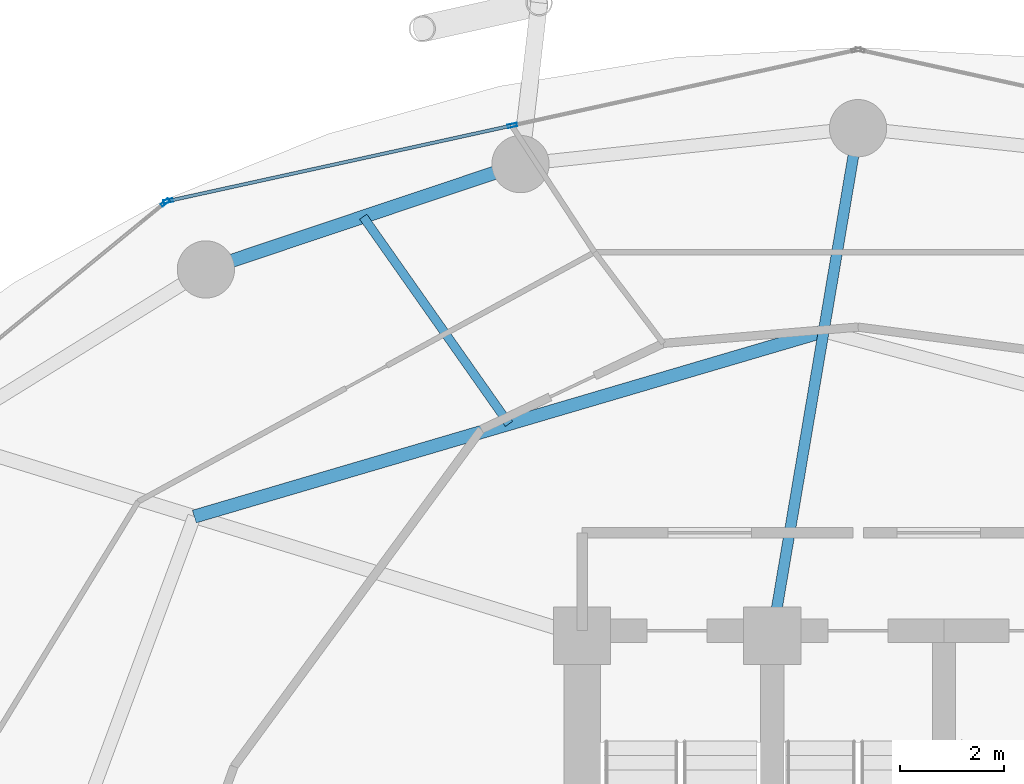
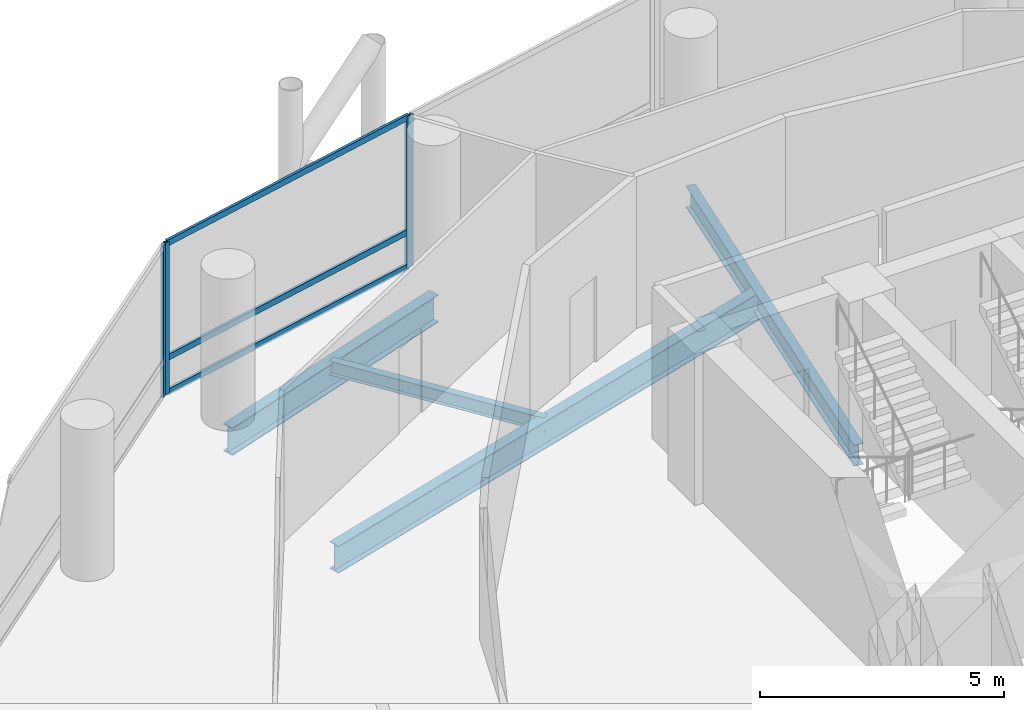
# One storey, part 15 of 25: 6 members, 4 beams, 2 elements without a shape of their own.
"""IFC4 building model written with IfcOpenShell, lengths in metres."""

from ifc_helpers import new_model, si_unit, direction, frame, origin, origin_2d, place, context, subcontext, project, spatial, hollow_rectangle, i_section, extrude, material, layer, layer_set, material_profile, profile_set, type_object, element, aggregate, save


model = new_model("IFC4")

# Units and contexts
model_context = context("Model", 3, precision=1e-05, world=origin(), true_north=direction((0.0, 1.0)))
body_context = subcontext(model_context, "Body", "Model", "MODEL_VIEW")
ifc_project = project(units=[si_unit("LENGTHUNIT", "METRE"), si_unit("AREAUNIT", "SQUARE_METRE"), si_unit("VOLUMEUNIT", "CUBIC_METRE"), si_unit("PLANEANGLEUNIT", "RADIAN"), si_unit("MASSUNIT", "GRAM", prefix="KILO")], contexts=[model_context])

# Site, building, storey
site_placement = place(None, origin())
site = spatial("IfcSite", under=ifc_project, at=site_placement, CompositionType="ELEMENT")
building_placement = place(site_placement, origin())
building = spatial("IfcBuilding", under=site, at=building_placement, Name="Nuhasar Tower", CompositionType="ELEMENT")
storey_placement = place(building_placement, frame((0.0, 0.0, 65.550048828125)))
storey = spatial("IfcBuildingStorey", under=building, at=storey_placement, Name="L15", CompositionType="ELEMENT", Elevation=65.550048828125)

# Beams
ifc_material_1 = material(Name="Steel S355", Category="steel")
ifc_material_profile_1 = material_profile(ifc_material_1, i_section(OverallWidth=0.25390625, OverallDepth=0.68408203125, WebThickness=0.012451171875, FlangeThickness=0.018798828125, at=origin_2d()), Name="W27X94")
ifc_profile_set_1 = profile_set([ifc_material_profile_1], Name="Steel S355")
beam_type_1 = type_object("IfcBeamType", Name="BM-INRING-W27X94", PredefinedType="BEAM", material=ifc_profile_set_1)
beam_1_placement = place(storey_placement, frame((38.340087890625, 43.14990234375, -0.592041015625), z_axis=(-0.959290190666, -0.28242225495, 0.0), x_axis=(0.28242225495, -0.959290190666, 0.0)))
element("IfcBeam", 1, at=beam_1_placement, inside=storey, type_object=beam_type_1, Name="L15 Inner Header Beam 06", PredefinedType="BEAM", context=body_context, shape_type="SweptSolid", body=[
    extrude(i_section(OverallWidth=0.25390625, OverallDepth=0.68408203125, WebThickness=0.012451171875, FlangeThickness=0.018798828125, at=origin_2d()), origin(), (0.0, 0.0, 1.0), 12.60107421875),
])
ifc_material_profile_2 = material_profile(ifc_material_1, i_section(OverallWidth=0.1708984375, OverallDepth=0.35205078125, WebThickness=0.0068359375, FlangeThickness=0.009765625, at=origin_2d()), Name="W14X30")
ifc_profile_set_2 = profile_set([ifc_material_profile_2], Name="Steel S355")
beam_type_2 = type_object("IfcBeamType", Name="BM-JST-W14X30", PredefinedType="JOIST", material=ifc_profile_set_2)
beam_2_placement = place(storey_placement, frame((32.2958984375, 41.3701171875, -0.426025390625), z_axis=(-0.575461088141, 0.817829160666, 0.0), x_axis=(-0.817829160666, -0.575461088141, 0.0)))
element("IfcBeam", 2, at=beam_2_placement, inside=storey, type_object=beam_type_2, Name="L15 Secondary Floor Joist 06", PredefinedType="JOIST", context=body_context, shape_type="SweptSolid", body=[
    extrude(i_section(OverallWidth=0.1708984375, OverallDepth=0.35205078125, WebThickness=0.0068359375, FlangeThickness=0.009765625, at=origin_2d()), origin(), (0.0, 0.0, 1.0), 4.865234375),
])
ifc_material_profile_3 = material_profile(ifc_material_1, i_section(OverallWidth=0.208984375, OverallDepth=0.532958984375, WebThickness=0.01025390625, FlangeThickness=0.015625, at=origin_2d()), Name="W21X62")
ifc_profile_set_3 = profile_set([ifc_material_profile_3], Name="Steel S355")
beam_type_3 = type_object("IfcBeamType", Name="BM-RAD-W21X62", PredefinedType="BEAM", material=ifc_profile_set_3)
beam_3_placement = place(storey_placement, frame((37.35009765625, 37.300048828125, -0.51611328125), z_axis=(0.166848703013, 0.98598251014, 0.0), x_axis=(-0.98598251014, 0.166848703013, 0.0)))
element("IfcBeam", 3, at=beam_3_placement, inside=storey, type_object=beam_type_3, Name="L15 Radial Floor Girder 06", PredefinedType="BEAM", context=body_context, shape_type="SweptSolid", body=[
    extrude(i_section(OverallWidth=0.208984375, OverallDepth=0.532958984375, WebThickness=0.01025390625, FlangeThickness=0.015625, at=origin_2d()), origin(), (0.0, 0.0, 1.0), 9.888671875),
])
ifc_material_profile_4 = material_profile(ifc_material_1, i_section(OverallWidth=0.256103515625, OverallDepth=0.693115234375, WebThickness=0.014404296875, FlangeThickness=0.023681640625, at=origin_2d()), Name="W27X114")
ifc_profile_set_4 = profile_set([ifc_material_profile_4], Name="Steel S355")
beam_type_4 = type_object("IfcBeamType", Name="BM-RING-W27X114", PredefinedType="SPANDREL", material=ifc_profile_set_4)
beam_4_placement = place(storey_placement, frame((32.51708984375, 46.360107421875, -0.59716796875), z_axis=(-0.948249435708, -0.317526388949, 0.0), x_axis=(0.317526388949, -0.948249435708, 0.0)))
element("IfcBeam", 4, at=beam_4_placement, inside=storey, type_object=beam_type_4, Name="L15 Perimeter Ring Spandrel 08", PredefinedType="SPANDREL", context=body_context, shape_type="SweptSolid", body=[
    extrude(i_section(OverallWidth=0.256103515625, OverallDepth=0.693115234375, WebThickness=0.014404296875, FlangeThickness=0.023681640625, at=origin_2d()), origin(), (0.0, 0.0, 1.0), 6.371826171875),
])

# Curtain wall, members
ifc_material_2 = material(Name="Aluminium 6063-T6", Category="aluminium")
ifc_layer = layer(ifc_material_2, 0.199951171875)
ifc_layer_set = layer_set([ifc_layer], Name="Aluminium 6063-T6")
curtain_wall_type = type_object("IfcCurtainWallType", Name="CW-Z1-OFF", PredefinedType="NOTDEFINED", material=ifc_layer_set)
curtain_wall_1_placement = place(storey_placement, origin())
curtain_wall_1 = element("IfcCurtainWall", 5, at=curtain_wall_1_placement, inside=storey, type_object=curtain_wall_type, Name="L15 Unitised Curtain Wall 04", PredefinedType="NOTDEFINED")
ifc_material_profile_5 = material_profile(ifc_material_2, hollow_rectangle(XDim=0.06494140625, YDim=0.179931640625, WallThickness=0.0048828125, at=origin_2d()), Name="CWM-2")
ifc_profile_set_5 = profile_set([ifc_material_profile_5], Name="Aluminium 6063-T6")
member_type_1 = type_object("IfcMemberType", Name="CW-MUL-S2", PredefinedType="MULLION", material=ifc_profile_set_5)
member_1_placement = place(storey_placement, frame((32.360107421875, 47.1025390625, 0.0), z_axis=(0.0, 0.0, 1.0), x_axis=(0.214398737637, -0.976746221544, 0.0)))
member_1 = element("IfcMember", 6, at=member_1_placement, type_object=member_type_1, Name="CW-Z1 mullion 2", PredefinedType="MULLION", context=body_context, shape_type="SweptSolid", body=[
    extrude(hollow_rectangle(XDim=0.06494140625, YDim=0.179931640625, WallThickness=0.0048828125, at=origin_2d()), origin(), (0.0, 0.0, 1.0), 3.800048828125),
])
member_2_placement = place(storey_placement, frame((25.751708984375, 45.65185546875, 0.0), z_axis=(0.0, 0.0, 1.0), x_axis=(0.214398737637, -0.976746221544, 0.0)))
member_2 = element("IfcMember", 7, at=member_2_placement, type_object=member_type_1, Name="CW-Z1 mullion 3", PredefinedType="MULLION", context=body_context, shape_type="SweptSolid", body=[
    extrude(hollow_rectangle(XDim=0.06494140625, YDim=0.179931640625, WallThickness=0.0048828125, at=origin_2d()), origin(), (0.0, 0.0, 1.0), 3.800048828125),
])

# Curtain wall, member
curtain_wall_2_placement = place(storey_placement, origin())
curtain_wall_2 = element("IfcCurtainWall", 8, at=curtain_wall_2_placement, inside=storey, type_object=curtain_wall_type, Name="L15 Unitised Curtain Wall 05", PredefinedType="NOTDEFINED")
member_3_placement = place(storey_placement, frame((25.69482421875, 45.62451171875, 0.0), z_axis=(0.0, 0.0, 1.0), x_axis=(0.633744593376, -0.773542364946, 0.0)))
member_3 = element("IfcMember", 9, at=member_3_placement, type_object=member_type_1, Name="CW-Z1 mullion 1", PredefinedType="MULLION", context=body_context, shape_type="SweptSolid", body=[
    extrude(hollow_rectangle(XDim=0.06494140625, YDim=0.179931640625, WallThickness=0.0048828125, at=origin_2d()), origin(), (0.0, 0.0, 1.0), 3.800048828125),
])
aggregate(curtain_wall_2, [member_3])

# Member
ifc_material_profile_6 = material_profile(ifc_material_2, hollow_rectangle(XDim=0.06494140625, YDim=0.14990234375, WallThickness=0.00439453125, at=origin_2d()), Name="CWT-2")
ifc_profile_set_6 = profile_set([ifc_material_profile_6], Name="Aluminium 6063-T6")
member_type_2 = type_object("IfcMemberType", Name="CW-TRN-S2", PredefinedType="USERDEFINED", material=ifc_profile_set_6)
member_4_placement = place(storey_placement, frame((32.328369140625, 47.095458984375, 0.032470703125), z_axis=(-0.976749553792, -0.214383556196, 0.0), x_axis=(0.214383556196, -0.976749553792, 0.0)))
member_4 = element("IfcMember", 10, at=member_4_placement, type_object=member_type_2, Name="CW-Z1 transom 2.1", ObjectType="TRANSOM", PredefinedType="USERDEFINED", context=body_context, shape_type="SweptSolid", body=[
    extrude(hollow_rectangle(XDim=0.06494140625, YDim=0.14990234375, WallThickness=0.00439453125, at=origin_2d()), origin(), (0.0, 0.0, 1.0), 6.70068359375),
])

member_5_placement = place(storey_placement, frame((32.328369140625, 47.095458984375, 0.89990234375), z_axis=(-0.976749553792, -0.214383556196, 0.0), x_axis=(0.214383556196, -0.976749553792, 0.0)))
member_5 = element("IfcMember", 11, at=member_5_placement, type_object=member_type_2, Name="CW-Z1 transom 2.2", ObjectType="TRANSOM", PredefinedType="USERDEFINED", context=body_context, shape_type="SweptSolid", body=[
    extrude(hollow_rectangle(XDim=0.06494140625, YDim=0.14990234375, WallThickness=0.00439453125, at=origin_2d()), origin(), (0.0, 0.0, 1.0), 6.70068359375),
])

member_6_placement = place(storey_placement, frame((32.328369140625, 47.095458984375, 3.767333984375), z_axis=(-0.976749553792, -0.214383556196, 0.0), x_axis=(0.214383556196, -0.976749553792, 0.0)))
member_6 = element("IfcMember", 12, at=member_6_placement, type_object=member_type_2, Name="CW-Z1 transom 2.3", ObjectType="TRANSOM", PredefinedType="USERDEFINED", context=body_context, shape_type="SweptSolid", body=[
    extrude(hollow_rectangle(XDim=0.06494140625, YDim=0.14990234375, WallThickness=0.00439453125, at=origin_2d()), origin(), (0.0, 0.0, 1.0), 6.70068359375),
])

aggregate(curtain_wall_1, [member_1, member_2, member_4, member_5, member_6])

save(model, "model.ifc")
